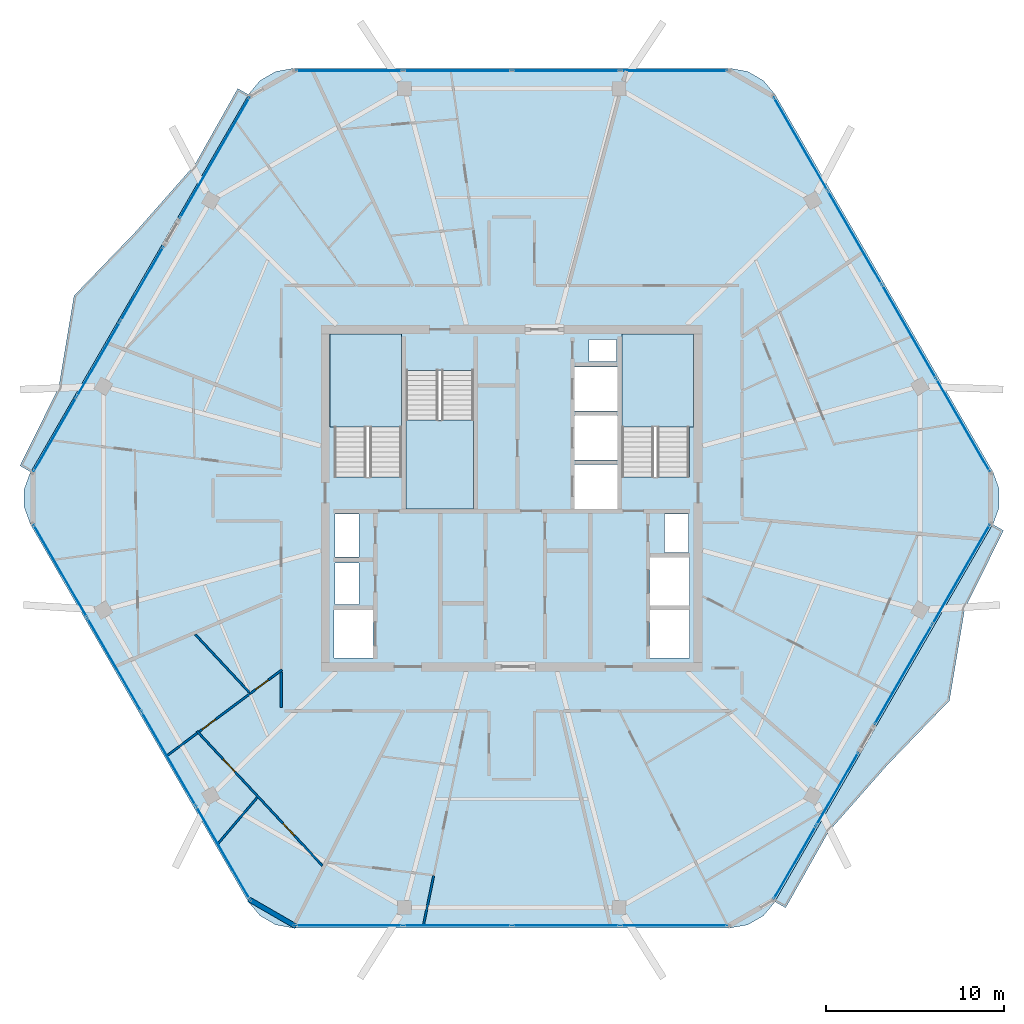
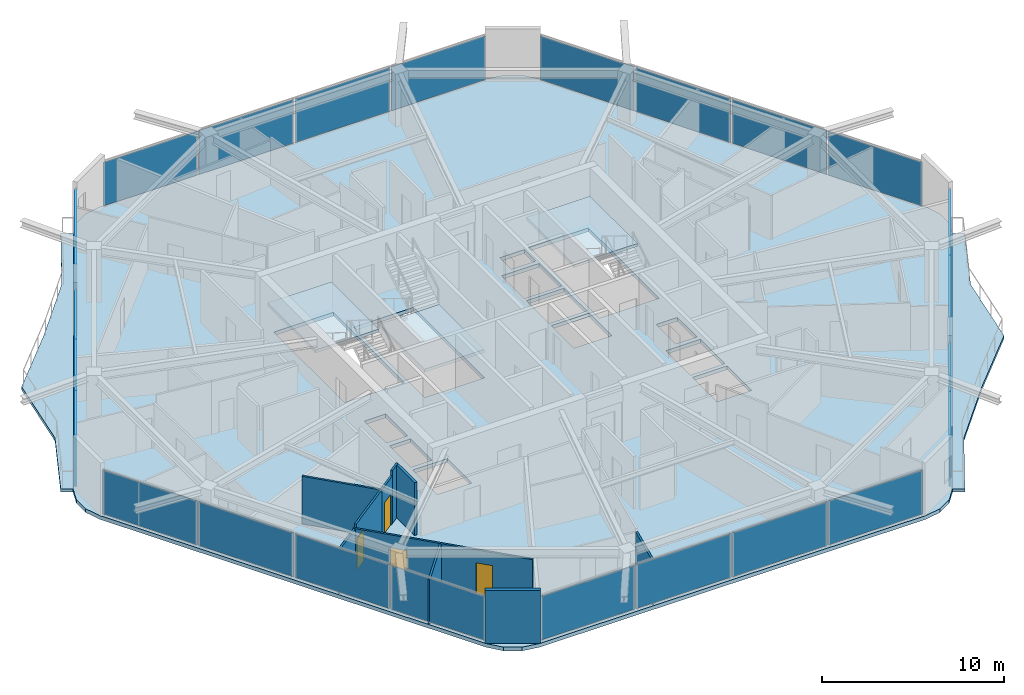
# One storey, part 11 of 19: 24 plates, 10 walls, 6 slabs, 4 doors, 4 openings, 11 elements without a shape of their own.
"""IFC4 building model written with IfcOpenShell, lengths in metres."""

import ifcopenshell
import ifcopenshell.guid

model = None  # the IFC model being written
_history = None  # IfcOwnerHistory: only IFC2X3 demands one
_inside = {}  # id of a spatial element -> (the spatial element, [elements in it])
_under = {}  # id of a project, library or spatial element -> (it, [spatial elements below it])
_declared = {}  # id of a project -> (the project, [libraries it declares])
_typed = {}  # id of a type object -> (the type object, [elements of that type])
_made_of = {}  # id of a material, layer set ... -> (it, [elements and type objects made of it])


def new_model(schema):
    """Start an empty IFC model of exactly this schema.

    Asked for "IFC4X3", IfcOpenShell would pick the latest addendum, in which some entities
    have other attributes; the version numbers below select the first issue.
    IFC2X3 requires an IfcOwnerHistory on every rooted entity: one is made here for all.
    """
    global model, _history
    if schema == "IFC4X3":
        model = ifcopenshell.file(schema_version=(4, 3, 0, 0))
    else:
        model = ifcopenshell.file(schema=schema)
    _inside.clear()
    _under.clear()
    _declared.clear()
    _typed.clear()
    _made_of.clear()
    _history = None
    if model.schema == "IFC2X3":
        org = make("IfcOrganization", Name="unknown")
        user = make(
            "IfcPersonAndOrganization",
            ThePerson=make("IfcPerson", FamilyName="unknown"),
            TheOrganization=org,
        )
        app = make(
            "IfcApplication",
            ApplicationDeveloper=org,
            Version="unknown",
            ApplicationFullName="unknown",
            ApplicationIdentifier="unknown",
        )
        _history = make(
            "IfcOwnerHistory",
            OwningUser=user,
            OwningApplication=app,
            ChangeAction="ADDED",
            CreationDate=0,
        )
    return model


def make(cls, **values):
    """One entity of the class cls with the attributes given. An attribute that is None is left unset."""
    return model.create_entity(
        cls, **{name: value for name, value in values.items() if value is not None}
    )


def rooted(cls, **values):
    """An entity with a GlobalId (a new one), such as an element, a storey or a relation."""
    return make(cls, GlobalId=ifcopenshell.guid.new(), OwnerHistory=_history, **values)


def si_unit(unit_type, name, prefix=None):
    """IfcSIUnit, for example si_unit("LENGTHUNIT", "METRE", prefix="MILLI")."""
    return make("IfcSIUnit", UnitType=unit_type, Prefix=prefix, Name=name)


def assignment(units):
    """IfcUnitAssignment: the units of a project."""
    return None if units is None else make("IfcUnitAssignment", Units=units)


def point(xyz):
    """IfcCartesianPoint."""
    return None if xyz is None else make("IfcCartesianPoint", Coordinates=xyz)


def direction(xyz):
    """IfcDirection."""
    return None if xyz is None else make("IfcDirection", DirectionRatios=xyz)


def frame(location, z_axis=None, x_axis=None):
    """IfcAxis2Placement3D, a coordinate frame: its origin and axes. An axis left out is left unset."""
    return make(
        "IfcAxis2Placement3D",
        Location=point(location),
        Axis=direction(z_axis),
        RefDirection=direction(x_axis),
    )


def frame_2d(location, x_axis=None):
    """IfcAxis2Placement2D, a coordinate frame in the plane: its origin and x axis."""
    return make(
        "IfcAxis2Placement2D", Location=point(location), RefDirection=direction(x_axis)
    )


def origin():
    """The frame at (0, 0, 0) with its axes left unset."""
    return frame((0.0, 0.0, 0.0))


def origin_2d():
    """The frame at (0, 0) in the plane with its x axis left unset."""
    return frame_2d((0.0, 0.0))


def place(relative_to, where):
    """IfcLocalPlacement: puts the frame where relative to a parent placement (None: the world)."""
    return make(
        "IfcLocalPlacement", PlacementRelTo=relative_to, RelativePlacement=where
    )


def context(
    kind, dimensions, precision=None, world=None, true_north=None, identifier=None
):
    """IfcGeometricRepresentationContext, for example the 3D "Model" context."""
    return make(
        "IfcGeometricRepresentationContext",
        ContextIdentifier=identifier,
        ContextType=kind,
        CoordinateSpaceDimension=dimensions,
        Precision=precision,
        WorldCoordinateSystem=world,
        TrueNorth=true_north,
    )


def subcontext(parent, identifier, kind, view, scale=None):
    """IfcGeometricRepresentationSubContext, for example "Body" below "Model"."""
    return make(
        "IfcGeometricRepresentationSubContext",
        ContextIdentifier=identifier,
        ContextType=kind,
        ParentContext=parent,
        TargetScale=scale,
        TargetView=view,
    )


def project(units=None, contexts=None):
    """IfcProject with its units and contexts."""
    return rooted(
        "IfcProject",
        Name="project",
        RepresentationContexts=contexts,
        UnitsInContext=assignment(units),
    )


def spatial(cls, under=None, at=None, **own):
    """A site, building, storey or space (cls), placed at a placement, below another one or the project."""
    s = rooted(cls, ObjectPlacement=at, **own)
    if under is not None:
        _under.setdefault(under.id(), (under, []))[1].append(s)
    return s


def polyline(points):
    """IfcPolyline through the points."""
    return make("IfcPolyline", Points=[point(p) for p in points])


def profile(cls, at=None, kind="AREA", **sizes):
    """A parametric profile (cls). Its sizes go by their IFC names, for example OverallWidth=200.0."""
    return make(cls, ProfileType=kind, Position=at, **sizes)


def rectangle(**sizes):
    """IfcRectangleProfileDef."""
    return profile("IfcRectangleProfileDef", **sizes)


def outline(outer, holes=None, kind="AREA"):
    """IfcArbitraryClosedProfileDef: a profile drawn as a closed curve; with holes, ...WithVoids."""
    if holes is None:
        return make("IfcArbitraryClosedProfileDef", ProfileType=kind, OuterCurve=outer)
    return make(
        "IfcArbitraryProfileDefWithVoids",
        ProfileType=kind,
        OuterCurve=outer,
        InnerCurves=holes,
    )


def extrude(swept, where, along, depth):
    """IfcExtrudedAreaSolid: the profile swept, set in the frame where, extruded along a direction by depth."""
    return make(
        "IfcExtrudedAreaSolid",
        SweptArea=swept,
        Position=where,
        ExtrudedDirection=direction(along),
        Depth=depth,
    )


def shape(context_of_items, identifier, shape_type, items):
    """IfcShapeRepresentation: the items that make up one representation, for example the "Body"."""
    return make(
        "IfcShapeRepresentation",
        ContextOfItems=context_of_items,
        RepresentationIdentifier=identifier,
        RepresentationType=shape_type,
        Items=items,
    )


def material(Name=None, Category=None):
    """IfcMaterial."""
    return make("IfcMaterial", Name=Name, Category=Category)


def layer(
    of_material, thickness, ventilated=None, Name=None, Category=None, Priority=None
):
    """IfcMaterialLayer: one layer of a wall or slab, of a material (None: an air gap)."""
    return make(
        "IfcMaterialLayer",
        Material=of_material,
        LayerThickness=thickness,
        IsVentilated=ventilated,
        Name=Name,
        Category=Category,
        Priority=Priority,
    )


def layer_set(layers, Name=None):
    """IfcMaterialLayerSet."""
    return make("IfcMaterialLayerSet", MaterialLayers=layers, LayerSetName=Name)


def made_of(thing, what):
    """Note that an element or type object is made of a material, layer set ...; save() writes the relation."""
    if what is not None:
        _made_of.setdefault(what.id(), (what, []))[1].append(thing)
    return thing


def type_object(cls, material=None, **own):
    """A type object (cls), such as IfcWallType, which elements share."""
    return made_of(rooted(cls, **own), material)


def element(
    cls,
    number,
    at=None,
    inside=None,
    cuts=None,
    type_object=None,
    material=None,
    context=None,
    identifier="Body",
    shape_type=None,
    held_by="IfcProductDefinitionShape",
    body=None,
    shapes=None,
    **own,
):
    """One element of the class cls, such as IfcWall. Its Tag is "e" and its number.

    at: its placement. inside: the storey or other place that contains it. cuts: it is an
    opening in that element (IfcRelVoidsElement). A single representation is given by context,
    identifier, shape_type and body (its items); several are given by shapes. held_by: the class
    of the entity that holds the representations. save() writes the other relations.
    """
    e = rooted(cls, Tag="e%d" % number, ObjectPlacement=at, **own)
    if body is not None:
        shapes = [shape(context, identifier, shape_type, body)]
    if shapes is not None:
        e.Representation = make(held_by, Representations=shapes)
    if inside is not None:
        _inside.setdefault(inside.id(), (inside, []))[1].append(e)
    if cuts is not None:
        rooted(
            "IfcRelVoidsElement", RelatingBuildingElement=cuts, RelatedOpeningElement=e
        )
    if type_object is not None:
        _typed.setdefault(type_object.id(), (type_object, []))[1].append(e)
    return made_of(e, material)


def fill(opening, filler):
    """IfcRelFillsElement: the door or window that sits in an opening."""
    return rooted(
        "IfcRelFillsElement",
        RelatingOpeningElement=opening,
        RelatedBuildingElement=filler,
    )


def aggregate(whole, parts):
    """IfcRelAggregates: a whole, such as a stair, and the parts it consists of."""
    return rooted("IfcRelAggregates", RelatingObject=whole, RelatedObjects=parts)


def save(model, path):
    """Write the relations noted so far, then the file.

    IfcRelAggregates (storeys below a building ...), IfcRelContainedInSpatialStructure (elements
    in a storey), IfcRelDefinesByType, IfcRelAssociatesMaterial and IfcRelDeclares: one each for
    every whole, place, type object, material and project.
    """
    for whole, parts in _under.values():
        aggregate(whole, parts)
    for where, things in _inside.values():
        rooted(
            "IfcRelContainedInSpatialStructure",
            RelatedElements=things,
            RelatingStructure=where,
        )
    for kind, things in _typed.values():
        rooted("IfcRelDefinesByType", RelatedObjects=things, RelatingType=kind)
    for what, things in _made_of.values():
        rooted("IfcRelAssociatesMaterial", RelatedObjects=things, RelatingMaterial=what)
    for by, libraries in _declared.values():
        rooted("IfcRelDeclares", RelatingContext=by, RelatedDefinitions=libraries)
    model.write(path)


model = new_model("IFC4")

# Units and contexts
model_context = context("Model", 3, precision=1e-05, world=origin(), true_north=direction((0.0, 1.0)))
body_context = subcontext(model_context, "Body", "Model", "MODEL_VIEW")
ifc_project = project(units=[si_unit("LENGTHUNIT", "METRE"), si_unit("AREAUNIT", "SQUARE_METRE"), si_unit("VOLUMEUNIT", "CUBIC_METRE"), si_unit("PLANEANGLEUNIT", "RADIAN"), si_unit("MASSUNIT", "GRAM", prefix="KILO")], contexts=[model_context])

# Site, building, storey
site_placement = place(None, origin())
site = spatial("IfcSite", under=ifc_project, at=site_placement, CompositionType="ELEMENT")
building_placement = place(site_placement, origin())
building = spatial("IfcBuilding", under=site, at=building_placement, Name="Zuhravey Tower", CompositionType="ELEMENT")
storey_placement = place(building_placement, frame((0.0, 0.0, 327.199951171875)))
storey = spatial("IfcBuildingStorey", under=building, at=storey_placement, Name="L83", CompositionType="ELEMENT", Elevation=327.199951171875)

# Slabs
ifc_material_1 = material(Name="Concrete C50/60", Category="concrete")
ifc_layer_1 = layer(ifc_material_1, 0.25)
ifc_layer_set_1 = layer_set([ifc_layer_1], Name="Concrete C50/60")
slab_type_1 = type_object("IfcSlabType", Name="Residential Acoustic Slab 250", PredefinedType="FLOOR", material=ifc_layer_set_1)
slab_1_placement = place(storey_placement, frame((0.0, 0.0, -0.25)))
element("IfcSlab", 1, at=slab_1_placement, inside=storey, type_object=slab_type_1, Name="L83 Floor Slab FS25", PredefinedType="FLOOR", context=body_context, shape_type="SweptSolid", body=[
    extrude(outline(polyline([(63.1083984375, 30.52490234375), (63.458740234375, 31.48779296875), (63.458740234375, 32.51220703125), (63.1083984375, 33.47509765625), (50.83154296875, 54.739013671875), (50.173095703125, 55.52392578125), (49.285888671875, 56.0361328125), (48.27685546875, 56.214111328125), (23.72314453125, 56.214111328125), (22.714111328125, 56.0361328125), (21.826904296875, 55.52392578125), (21.16845703125, 54.739013671875), (8.8916015625, 33.47509765625), (8.541259765625, 32.51220703125), (8.541259765625, 31.48779296875), (8.8916015625, 30.52490234375), (21.16845703125, 9.260986328125), (21.826904296875, 8.47607421875), (22.714111328125, 7.9638671875), (23.72314453125, 7.785888671875), (48.27685546875, 7.785888671875), (49.285888671875, 7.9638671875), (50.173095703125, 8.47607421875), (50.83154296875, 9.260986328125), (63.1083984375, 30.52490234375)]), holes=[polyline([(29.800048828125, 33.20068359375), (29.800048828125, 41.0), (26.0, 41.0), (26.0, 33.20068359375), (29.800048828125, 33.20068359375)]), polyline([(46.0, 33.20068359375), (46.0, 41.0), (42.199951171875, 41.0), (42.199951171875, 33.20068359375), (46.0, 33.20068359375)]), polyline([(30.050048828125, 39.199462890625), (30.050048828125, 31.39990234375), (33.85009765625, 31.39990234375), (33.85009765625, 39.199462890625), (30.050048828125, 39.199462890625)]), polyline([(39.550048828125, 31.39990234375), (41.949951171875, 31.39990234375), (41.949951171875, 33.89990234375), (39.550048828125, 33.89990234375), (39.550048828125, 31.39990234375)]), polyline([(39.550048828125, 34.14990234375), (41.949951171875, 34.14990234375), (41.949951171875, 36.64990234375), (39.550048828125, 36.64990234375), (39.550048828125, 34.14990234375)]), polyline([(39.550048828125, 36.89990234375), (41.949951171875, 36.89990234375), (41.949951171875, 39.39990234375), (39.550048828125, 39.39990234375), (39.550048828125, 36.89990234375)]), polyline([(26.0, 23.0), (28.199951171875, 23.0), (28.199951171875, 25.699951171875), (26.0, 25.699951171875), (26.0, 23.0)]), polyline([(43.800048828125, 23.0), (46.0, 23.0), (46.0, 25.699951171875), (43.800048828125, 25.699951171875), (43.800048828125, 23.0)]), polyline([(43.800048828125, 25.949951171875), (46.0, 25.949951171875), (46.0, 28.64990234375), (43.800048828125, 28.64990234375), (43.800048828125, 25.949951171875)]), polyline([(26.050048828125, 26.0), (27.39990234375, 26.0), (27.39990234375, 28.35009765625), (26.050048828125, 28.35009765625), (26.050048828125, 26.0)]), polyline([(26.050048828125, 28.699951171875), (27.39990234375, 28.699951171875), (27.39990234375, 31.10009765625), (26.050048828125, 31.10009765625), (26.050048828125, 28.699951171875)]), polyline([(44.60009765625, 28.949951171875), (45.949951171875, 28.949951171875), (45.949951171875, 31.10009765625), (44.60009765625, 31.10009765625), (44.60009765625, 28.949951171875)]), polyline([(40.35009765625, 39.699951171875), (41.89990234375, 39.699951171875), (41.89990234375, 40.949951171875), (40.35009765625, 40.949951171875), (40.35009765625, 39.699951171875)])]), origin(), (0.0, 0.0, 1.0), 0.25),
])
ifc_material_2 = material(Name="Concrete C40/50", Category="concrete")
ifc_layer_2 = layer(ifc_material_2, 0.219970703125)
ifc_layer_set_2 = layer_set([ifc_layer_2], Name="Concrete C40/50")
slab_type_2 = type_object("IfcSlabType", Name="Sinusoidal Residential Wave Balcony 220", PredefinedType="FLOOR", material=ifc_layer_set_2)
slab_2_placement = place(storey_placement, frame((0.0, 0.0, -0.219970703125)))
element("IfcSlab", 2, at=slab_2_placement, inside=storey, type_object=slab_type_2, Name="L83 Face 6 Wave Balcony WB22", PredefinedType="FLOOR", context=body_context, shape_type="SweptSolid", body=[
    extrude(outline(polyline([(50.822998046875, 9.27587890625), (63.091064453125, 30.52490234375), (63.697265625, 30.175048828125), (61.51708984375, 25.767333984375), (60.654541015625, 20.598876953125), (57.1455078125, 16.95849609375), (53.8369140625, 13.2021484375), (51.42919921875, 8.92578125), (50.822998046875, 9.27587890625)])), origin(), (0.0, 0.0, 1.0), 0.219970703125),
])
slab_3_placement = place(storey_placement, frame((0.0, 0.0, -0.219970703125)))
element("IfcSlab", 3, at=slab_3_placement, inside=storey, type_object=slab_type_2, Name="L83 Face 3 Wave Balcony WB22", PredefinedType="FLOOR", context=body_context, shape_type="SweptSolid", body=[
    extrude(outline(polyline([(21.177001953125, 54.72412109375), (8.908935546875, 33.47509765625), (8.302734375, 33.824951171875), (10.48291015625, 38.232666015625), (11.345458984375, 43.401123046875), (14.8544921875, 47.04150390625), (18.1630859375, 50.7978515625), (20.57080078125, 55.07421875), (21.177001953125, 54.72412109375)])), origin(), (0.0, 0.0, 1.0), 0.219970703125),
])

# Stair, slab
stair_type = type_object("IfcStairType", Name="Housing Storey Stair Assembly 3800", PredefinedType="HALF_TURN_STAIR", material=ifc_material_2)
stair_1_placement = place(storey_placement, origin())
stair_1 = element("IfcStair", 4, at=stair_1_placement, inside=storey, type_object=stair_type, Name="L83 Core Exit Stair ST1", PredefinedType="HALF_TURN_STAIR")
ifc_layer_3 = layer(ifc_material_2, 0.199951171875)
ifc_layer_set_3 = layer_set([ifc_layer_3], Name="Concrete C40/50")
slab_type_3 = type_object("IfcSlabType", Name="Stair Landing Slab 200", PredefinedType="LANDING", material=ifc_layer_set_3)
slab_4_placement = place(storey_placement, frame((0.0, 0.0, 1.699951171875)))
slab_4 = element("IfcSlab", 5, at=slab_4_placement, type_object=slab_type_3, Name="ST1 landing 1", PredefinedType="LANDING", context=body_context, shape_type="SweptSolid", body=[
    extrude(outline(polyline([(29.800048828125, 36.0), (29.800048828125, 41.248046875), (25.751953125, 41.248046875), (25.751953125, 36.0), (29.800048828125, 36.0)])), origin(), (0.0, 0.0, 1.0), 0.2001953125),
])
aggregate(stair_1, [slab_4])

stair_2_placement = place(storey_placement, origin())
stair_2 = element("IfcStair", 6, at=stair_2_placement, inside=storey, type_object=stair_type, Name="L83 Core Exit Stair ST2", PredefinedType="HALF_TURN_STAIR")
slab_5_placement = place(storey_placement, frame((0.0, 0.0, 1.699951171875)))
slab_5 = element("IfcSlab", 7, at=slab_5_placement, type_object=slab_type_3, Name="ST2 landing 1", PredefinedType="LANDING", context=body_context, shape_type="SweptSolid", body=[
    extrude(outline(polyline([(46.248046875, 36.0), (46.248046875, 41.248046875), (42.199951171875, 41.248046875), (42.199951171875, 36.0), (46.248046875, 36.0)])), origin(), (0.0, 0.0, 1.0), 0.2001953125),
])
aggregate(stair_2, [slab_5])

stair_3_placement = place(storey_placement, origin())
stair_3 = element("IfcStair", 8, at=stair_3_placement, inside=storey, type_object=stair_type, Name="L83 Core Exit Stair ST3", PredefinedType="HALF_TURN_STAIR")
slab_6_placement = place(storey_placement, frame((0.0, 0.0, 1.699951171875)))
slab_6 = element("IfcSlab", 9, at=slab_6_placement, type_object=slab_type_3, Name="ST3 landing 1", PredefinedType="LANDING", context=body_context, shape_type="SweptSolid", body=[
    extrude(outline(polyline([(30.050048828125, 36.39990234375), (30.050048828125, 31.39990234375), (33.85009765625, 31.39990234375), (33.85009765625, 36.39990234375), (30.050048828125, 36.39990234375)])), origin(), (0.0, 0.0, 1.0), 0.2001953125),
])
aggregate(stair_3, [slab_6])

# Curtain wall, plates
ifc_material_3 = material(Name="Thermally broken anodised aluminium", Category="aluminium")
curtain_wall_type = type_object("IfcCurtainWallType", Name="Zone 3-4 High-Rise Curtain Wall CW4", PredefinedType="NOTDEFINED", material=ifc_material_3)
curtain_wall_1_placement = place(storey_placement, origin())
curtain_wall_1 = element("IfcCurtainWall", 10, at=curtain_wall_1_placement, inside=storey, type_object=curtain_wall_type, Name="L83 CW4 CW-L83-F6-1", PredefinedType="NOTDEFINED")
ifc_material_4 = material(Name="Triple low-E insulated vision glass", Category="glass")
ifc_layer_4 = layer(ifc_material_4, 0.0419921875)
ifc_layer_set_4 = layer_set([ifc_layer_4], Name="Triple low-E insulated vision glass")
plate_type = type_object("IfcPlateType", Name="Triple Low-E Vision Panel", PredefinedType="CURTAIN_PANEL", material=ifc_layer_set_4)
plate_1_placement = place(storey_placement, frame((61.3173828125, 27.702880859375, 0.090087890625), z_axis=(0.0, 0.0, 1.0), x_axis=(-0.499996752827, -0.866027278532, 0.0)))
plate_1 = element("IfcPlate", 11, at=plate_1_placement, type_object=plate_type, Name="CW4 panel 1.1", PredefinedType="CURTAIN_PANEL", context=body_context, shape_type="SweptSolid", body=[
    extrude(rectangle(XDim=6.423828125, YDim=0.0419921875, at=origin_2d()), origin(), (0.0, 0.0, 1.0), 2.94189453125),
])
plate_2_placement = place(storey_placement, frame((58.060546875, 22.06201171875, 0.090087890625), z_axis=(0.0, 0.0, 1.0), x_axis=(-0.499996752827, -0.866027278532, 0.0)))
plate_2 = element("IfcPlate", 12, at=plate_2_placement, type_object=plate_type, Name="CW4 panel 2.1", PredefinedType="CURTAIN_PANEL", context=body_context, shape_type="SweptSolid", body=[
    extrude(rectangle(XDim=6.423828125, YDim=0.0419921875, at=origin_2d()), origin(), (0.0, 0.0, 1.0), 2.94189453125),
])
aggregate(curtain_wall_1, [plate_1, plate_2])

curtain_wall_2_placement = place(storey_placement, origin())
curtain_wall_2 = element("IfcCurtainWall", 13, at=curtain_wall_2_placement, inside=storey, type_object=curtain_wall_type, Name="L83 CW4 CW-L83-F6-2", PredefinedType="NOTDEFINED")
plate_3_placement = place(storey_placement, frame((54.3408203125, 15.618896484375, 0.090087890625), z_axis=(0.0, 0.0, 1.0), x_axis=(-0.500002000362, -0.866024248872, 0.0)))
plate_3 = element("IfcPlate", 14, at=plate_3_placement, type_object=plate_type, Name="CW4 panel 1.1", PredefinedType="CURTAIN_PANEL", context=body_context, shape_type="SweptSolid", body=[
    extrude(rectangle(XDim=4.695556640625, YDim=0.0419921875, at=origin_2d()), origin(), (0.0, 0.0, 1.0), 2.94189453125),
])
plate_4_placement = place(storey_placement, frame((51.947998046875, 11.474609375, 0.090087890625), z_axis=(0.0, 0.0, 1.0), x_axis=(-0.500002000362, -0.866024248872, 0.0)))
plate_4 = element("IfcPlate", 15, at=plate_4_placement, type_object=plate_type, Name="CW4 panel 2.1", PredefinedType="CURTAIN_PANEL", context=body_context, shape_type="SweptSolid", body=[
    extrude(rectangle(XDim=4.695556640625, YDim=0.0419921875, at=origin_2d()), origin(), (0.0, 0.0, 1.0), 2.94189453125),
])
aggregate(curtain_wall_2, [plate_3, plate_4])

curtain_wall_3_placement = place(storey_placement, origin())
curtain_wall_3 = element("IfcCurtainWall", 16, at=curtain_wall_3_placement, inside=storey, type_object=curtain_wall_type, Name="L83 CW4 CW-L83-F5-1", PredefinedType="NOTDEFINED")
plate_5_placement = place(storey_placement, frame((45.156982421875, 7.92578125, 0.090087890625), z_axis=(0.0, 0.0, 1.0), x_axis=(-1.0, 0.0, 0.0)))
plate_5 = element("IfcPlate", 17, at=plate_5_placement, type_object=plate_type, Name="CW4 panel 1.1", PredefinedType="CURTAIN_PANEL", context=body_context, shape_type="SweptSolid", body=[
    extrude(rectangle(XDim=5.984619140625, YDim=0.0419921875, at=origin_2d()), origin(), (0.0, 0.0, 1.0), 2.94189453125),
])
plate_6_placement = place(storey_placement, frame((39.059814453125, 7.92578125, 0.090087890625), z_axis=(0.0, 0.0, 1.0), x_axis=(-1.0, 0.0, 0.0)))
plate_6 = element("IfcPlate", 18, at=plate_6_placement, type_object=plate_type, Name="CW4 panel 2.1", PredefinedType="CURTAIN_PANEL", context=body_context, shape_type="SweptSolid", body=[
    extrude(rectangle(XDim=6.029541015625, YDim=0.0419921875, at=origin_2d()), origin(), (0.0, 0.0, 1.0), 2.94189453125),
])
plate_7_placement = place(storey_placement, frame((32.940185546875, 7.92578125, 0.090087890625), z_axis=(0.0, 0.0, 1.0), x_axis=(-1.0, 0.0, 0.0)))
plate_7 = element("IfcPlate", 19, at=plate_7_placement, type_object=plate_type, Name="CW4 panel 3.1", PredefinedType="CURTAIN_PANEL", context=body_context, shape_type="SweptSolid", body=[
    extrude(rectangle(XDim=6.029541015625, YDim=0.0419921875, at=origin_2d()), origin(), (0.0, 0.0, 1.0), 2.94189453125),
])
plate_8_placement = place(storey_placement, frame((26.843017578125, 7.92578125, 0.090087890625), z_axis=(0.0, 0.0, 1.0), x_axis=(-1.0, 0.0, 0.0)))
plate_8 = element("IfcPlate", 20, at=plate_8_placement, type_object=plate_type, Name="CW4 panel 4.1", PredefinedType="CURTAIN_PANEL", context=body_context, shape_type="SweptSolid", body=[
    extrude(rectangle(XDim=5.984619140625, YDim=0.0419921875, at=origin_2d()), origin(), (0.0, 0.0, 1.0), 2.94189453125),
])
aggregate(curtain_wall_3, [plate_5, plate_6, plate_7, plate_8])

curtain_wall_4_placement = place(storey_placement, origin())
curtain_wall_4 = element("IfcCurtainWall", 21, at=curtain_wall_4_placement, inside=storey, type_object=curtain_wall_type, Name="L83 CW4 CW-L83-F4-1", PredefinedType="NOTDEFINED")
plate_9_placement = place(storey_placement, frame((19.729736328125, 12.03271484375, 0.090087890625), z_axis=(0.0, 0.0, 1.0), x_axis=(-0.49999981336, 0.866025511541, 0.0)))
plate_9 = element("IfcPlate", 22, at=plate_9_placement, type_object=plate_type, Name="CW4 panel 1.1", PredefinedType="CURTAIN_PANEL", context=body_context, shape_type="SweptSolid", body=[
    extrude(rectangle(XDim=5.984619140625, YDim=0.0419921875, at=origin_2d()), origin(), (0.0, 0.0, 1.0), 2.94189453125),
])
plate_10_placement = place(storey_placement, frame((16.68115234375, 17.31298828125, 0.090087890625), z_axis=(0.0, 0.0, 1.0), x_axis=(-0.49999981336, 0.866025511541, 0.0)))
plate_10 = element("IfcPlate", 23, at=plate_10_placement, type_object=plate_type, Name="CW4 panel 2.1", PredefinedType="CURTAIN_PANEL", context=body_context, shape_type="SweptSolid", body=[
    extrude(rectangle(XDim=6.029541015625, YDim=0.0419921875, at=origin_2d()), origin(), (0.0, 0.0, 1.0), 2.94189453125),
])
plate_11_placement = place(storey_placement, frame((13.621337890625, 22.61279296875, 0.090087890625), z_axis=(0.0, 0.0, 1.0), x_axis=(-0.49999981336, 0.866025511541, 0.0)))
plate_11 = element("IfcPlate", 24, at=plate_11_placement, type_object=plate_type, Name="CW4 panel 3.1", PredefinedType="CURTAIN_PANEL", context=body_context, shape_type="SweptSolid", body=[
    extrude(rectangle(XDim=6.029541015625, YDim=0.0419921875, at=origin_2d()), origin(), (0.0, 0.0, 1.0), 2.94189453125),
])
plate_12_placement = place(storey_placement, frame((10.57275390625, 27.89306640625, 0.090087890625), z_axis=(0.0, 0.0, 1.0), x_axis=(-0.49999981336, 0.866025511541, 0.0)))
plate_12 = element("IfcPlate", 25, at=plate_12_placement, type_object=plate_type, Name="CW4 panel 4.1", PredefinedType="CURTAIN_PANEL", context=body_context, shape_type="SweptSolid", body=[
    extrude(rectangle(XDim=5.984619140625, YDim=0.0419921875, at=origin_2d()), origin(), (0.0, 0.0, 1.0), 2.94189453125),
])
aggregate(curtain_wall_4, [plate_9, plate_10, plate_11, plate_12])

curtain_wall_5_placement = place(storey_placement, origin())
curtain_wall_5 = element("IfcCurtainWall", 26, at=curtain_wall_5_placement, inside=storey, type_object=curtain_wall_type, Name="L83 CW4 CW-L83-F3-1", PredefinedType="NOTDEFINED")
plate_13_placement = place(storey_placement, frame((10.273681640625, 35.589111328125, 0.090087890625), z_axis=(0.0, 0.0, 1.0), x_axis=(0.499997292826, 0.866026966766, 0.0)))
plate_13 = element("IfcPlate", 27, at=plate_13_placement, type_object=plate_type, Name="CW4 panel 1.1", PredefinedType="CURTAIN_PANEL", context=body_context, shape_type="SweptSolid", body=[
    extrude(rectangle(XDim=4.788818359375, YDim=0.0419921875, at=origin_2d()), origin(), (0.0, 0.0, 1.0), 2.94189453125),
])
plate_14_placement = place(storey_placement, frame((12.724365234375, 39.833740234375, 0.090087890625), z_axis=(0.0, 0.0, 1.0), x_axis=(0.499997292826, 0.866026966766, 0.0)))
plate_14 = element("IfcPlate", 28, at=plate_14_placement, type_object=plate_type, Name="CW4 panel 2.1", PredefinedType="CURTAIN_PANEL", context=body_context, shape_type="SweptSolid", body=[
    extrude(rectangle(XDim=4.833740234375, YDim=0.0419921875, at=origin_2d()), origin(), (0.0, 0.0, 1.0), 2.94189453125),
])
plate_15_placement = place(storey_placement, frame((15.175048828125, 44.078369140625, 0.090087890625), z_axis=(0.0, 0.0, 1.0), x_axis=(0.499997292826, 0.866026966766, 0.0)))
plate_15 = element("IfcPlate", 29, at=plate_15_placement, type_object=plate_type, Name="CW4 panel 3.1", PredefinedType="CURTAIN_PANEL", context=body_context, shape_type="SweptSolid", body=[
    extrude(rectangle(XDim=4.788818359375, YDim=0.0419921875, at=origin_2d()), origin(), (0.0, 0.0, 1.0), 2.94189453125),
])
aggregate(curtain_wall_5, [plate_13, plate_14, plate_15])

# Curtain wall, plate
curtain_wall_6_placement = place(storey_placement, origin())
curtain_wall_6 = element("IfcCurtainWall", 30, at=curtain_wall_6_placement, inside=storey, type_object=curtain_wall_type, Name="L83 CW4 CW-L83-F3-2", PredefinedType="NOTDEFINED")
plate_16_placement = place(storey_placement, frame((19.26904296875, 51.16943359375, 0.090087890625), z_axis=(0.0, 0.0, 1.0), x_axis=(0.500002088135, 0.866024198196, 0.0)))
plate_16 = element("IfcPlate", 31, at=plate_16_placement, type_object=plate_type, Name="CW4 panel 1.1", PredefinedType="CURTAIN_PANEL", context=body_context, shape_type="SweptSolid", body=[
    extrude(rectangle(XDim=7.8271484375, YDim=0.0419921875, at=origin_2d()), origin(), (0.0, 0.0, 1.0), 2.94189453125),
])
aggregate(curtain_wall_6, [plate_16])

# Curtain wall, plates
curtain_wall_7_placement = place(storey_placement, origin())
curtain_wall_7 = element("IfcCurtainWall", 32, at=curtain_wall_7_placement, inside=storey, type_object=curtain_wall_type, Name="L83 CW4 CW-L83-F2-1", PredefinedType="NOTDEFINED")
plate_17_placement = place(storey_placement, frame((26.843017578125, 56.07421875, 0.090087890625), z_axis=(0.0, 0.0, 1.0), x_axis=(1.0, 0.0, 0.0)))
plate_17 = element("IfcPlate", 33, at=plate_17_placement, type_object=plate_type, Name="CW4 panel 1.1", PredefinedType="CURTAIN_PANEL", context=body_context, shape_type="SweptSolid", body=[
    extrude(rectangle(XDim=5.984619140625, YDim=0.0419921875, at=origin_2d()), origin(), (0.0, 0.0, 1.0), 2.94189453125),
])
plate_18_placement = place(storey_placement, frame((32.940185546875, 56.07421875, 0.090087890625), z_axis=(0.0, 0.0, 1.0), x_axis=(1.0, 0.0, 0.0)))
plate_18 = element("IfcPlate", 34, at=plate_18_placement, type_object=plate_type, Name="CW4 panel 2.1", PredefinedType="CURTAIN_PANEL", context=body_context, shape_type="SweptSolid", body=[
    extrude(rectangle(XDim=6.029541015625, YDim=0.0419921875, at=origin_2d()), origin(), (0.0, 0.0, 1.0), 2.94189453125),
])
plate_19_placement = place(storey_placement, frame((39.059814453125, 56.07421875, 0.090087890625), z_axis=(0.0, 0.0, 1.0), x_axis=(1.0, 0.0, 0.0)))
plate_19 = element("IfcPlate", 35, at=plate_19_placement, type_object=plate_type, Name="CW4 panel 3.1", PredefinedType="CURTAIN_PANEL", context=body_context, shape_type="SweptSolid", body=[
    extrude(rectangle(XDim=6.029541015625, YDim=0.0419921875, at=origin_2d()), origin(), (0.0, 0.0, 1.0), 2.94189453125),
])
plate_20_placement = place(storey_placement, frame((45.156982421875, 56.07421875, 0.090087890625), z_axis=(0.0, 0.0, 1.0), x_axis=(1.0, 0.0, 0.0)))
plate_20 = element("IfcPlate", 36, at=plate_20_placement, type_object=plate_type, Name="CW4 panel 4.1", PredefinedType="CURTAIN_PANEL", context=body_context, shape_type="SweptSolid", body=[
    extrude(rectangle(XDim=5.984619140625, YDim=0.0419921875, at=origin_2d()), origin(), (0.0, 0.0, 1.0), 2.94189453125),
])
aggregate(curtain_wall_7, [plate_17, plate_18, plate_19, plate_20])

curtain_wall_8_placement = place(storey_placement, origin())
curtain_wall_8 = element("IfcCurtainWall", 37, at=curtain_wall_8_placement, inside=storey, type_object=curtain_wall_type, Name="L83 CW4 CW-L83-F1-1", PredefinedType="NOTDEFINED")
plate_21_placement = place(storey_placement, frame((52.270263671875, 51.96728515625, 0.090087890625), z_axis=(0.0, 0.0, 1.0), x_axis=(0.49999981336, -0.866025511541, 0.0)))
plate_21 = element("IfcPlate", 38, at=plate_21_placement, type_object=plate_type, Name="CW4 panel 1.1", PredefinedType="CURTAIN_PANEL", context=body_context, shape_type="SweptSolid", body=[
    extrude(rectangle(XDim=5.984619140625, YDim=0.0419921875, at=origin_2d()), origin(), (0.0, 0.0, 1.0), 2.94189453125),
])
plate_22_placement = place(storey_placement, frame((55.31884765625, 46.68701171875, 0.090087890625), z_axis=(0.0, 0.0, 1.0), x_axis=(0.49999981336, -0.866025511541, 0.0)))
plate_22 = element("IfcPlate", 39, at=plate_22_placement, type_object=plate_type, Name="CW4 panel 2.1", PredefinedType="CURTAIN_PANEL", context=body_context, shape_type="SweptSolid", body=[
    extrude(rectangle(XDim=6.029541015625, YDim=0.0419921875, at=origin_2d()), origin(), (0.0, 0.0, 1.0), 2.94189453125),
])
plate_23_placement = place(storey_placement, frame((58.378662109375, 41.38720703125, 0.090087890625), z_axis=(0.0, 0.0, 1.0), x_axis=(0.49999981336, -0.866025511541, 0.0)))
plate_23 = element("IfcPlate", 40, at=plate_23_placement, type_object=plate_type, Name="CW4 panel 3.1", PredefinedType="CURTAIN_PANEL", context=body_context, shape_type="SweptSolid", body=[
    extrude(rectangle(XDim=6.029541015625, YDim=0.0419921875, at=origin_2d()), origin(), (0.0, 0.0, 1.0), 2.94189453125),
])
plate_24_placement = place(storey_placement, frame((61.42724609375, 36.10693359375, 0.090087890625), z_axis=(0.0, 0.0, 1.0), x_axis=(0.49999981336, -0.866025511541, 0.0)))
plate_24 = element("IfcPlate", 41, at=plate_24_placement, type_object=plate_type, Name="CW4 panel 4.1", PredefinedType="CURTAIN_PANEL", context=body_context, shape_type="SweptSolid", body=[
    extrude(rectangle(XDim=5.984619140625, YDim=0.0419921875, at=origin_2d()), origin(), (0.0, 0.0, 1.0), 2.94189453125),
])
aggregate(curtain_wall_8, [plate_21, plate_22, plate_23, plate_24])

# Walls
ifc_material_5 = material(Name="Gypsum fire-rated stud partition")
ifc_layer_5 = layer(ifc_material_5, 0.159912109375)
ifc_layer_set_5 = layer_set([ifc_layer_5], Name="Gypsum fire-rated stud partition")
wall_type_1 = type_object("IfcWallType", Name="Corridor Fire Partition 160", PredefinedType="PARTITIONING", material=ifc_layer_set_5)
wall_1_placement = place(storey_placement, frame((23.02001953125, 22.218994140625, 0.0), z_axis=(0.0, 0.0, 1.0), x_axis=(0.0, -1.0, 0.0)))
element("IfcWall", 42, at=wall_1_placement, inside=storey, type_object=wall_type_1, Name="L83 IW16 Partition 099", PredefinedType="PARTITIONING", context=body_context, shape_type="SweptSolid", body=[
    extrude(rectangle(XDim=2.01904296875, YDim=0.159912109375, at=frame_2d((1.009521484375, 0.0))), origin(), (0.0, 0.0, 1.0), 3.550048828125),
])
ifc_material_6 = material(Name="Precast concrete C40/50", Category="concrete")
ifc_layer_6 = layer(ifc_material_6, 0.280029296875)
ifc_layer_set_6 = layer_set([ifc_layer_6], Name="Precast concrete C40/50")
wall_type_2 = type_object("IfcWallType", Name="Crown Architectural Wall 280", PredefinedType="SOLIDWALL", material=ifc_layer_set_6)
wall_2_placement = place(storey_placement, frame((23.843017578125, 7.87841796875, 0.0), z_axis=(0.0, 0.0, 1.0), x_axis=(-0.866023752521, 0.50000286006, 0.0)))
element("IfcWall", 43, at=wall_2_placement, inside=storey, type_object=wall_type_2, Name="L83 Rounded Corner Closure Wall EW28-04", PredefinedType="SOLIDWALL", context=body_context, shape_type="SweptSolid", body=[
    extrude(rectangle(XDim=3.06494140625, YDim=0.280029296875, at=frame_2d((1.532470703125, 0.0))), origin(), (0.0, 0.0, 1.0), 3.550048828125),
])

# Wall, openings, doors
ifc_material_7 = material(Name="Gypsum metal-stud partition")
ifc_layer_7 = layer(ifc_material_7, 0.1201171875)
ifc_layer_set_7 = layer_set([ifc_layer_7], Name="Gypsum metal-stud partition")
wall_type_3 = type_object("IfcWallType", Name="Unit Internal Partition 120", PredefinedType="PARTITIONING", material=ifc_layer_set_7)
wall_3_placement = place(storey_placement, frame((18.26904296875, 18.879638671875, 0.0), z_axis=(0.0, 0.0, 1.0), x_axis=(0.682011831642, -0.731341138936, 0.0)))
wall_3 = element("IfcWall", 44, at=wall_3_placement, inside=storey, type_object=wall_type_3, Name="L83 IW12 Partition 031", PredefinedType="PARTITIONING", context=body_context, shape_type="SweptSolid", body=[
    extrude(rectangle(XDim=10.363525390625, YDim=0.1201171875, at=frame_2d((5.181640625, 0.0))), origin(), (0.0, 0.0, 1.0), 2.969970703125),
])
opening_1_placement = place(wall_3_placement, frame((2.16796875, 0.0, 0.0)))
opening_1 = element("IfcOpeningElement", 45, at=opening_1_placement, cuts=wall_3, Name="Opening IND1", PredefinedType="OPENING", context=body_context, shape_type="SweptSolid", body=[
    extrude(rectangle(XDim=0.949951171875, YDim=2.10009765625, at=frame_2d((0.47509765625, 1.050048828125))), frame((0.0, 0.072021484375, 0.0), z_axis=(0.0, -1.0, 0.0), x_axis=(1.0, 0.0, 0.0)), (0.0, 0.0, 1.0), 0.14404296875),
])
opening_2_placement = place(wall_3_placement, frame((7.10888671875, 0.0, 0.0)))
opening_2 = element("IfcOpeningElement", 46, at=opening_2_placement, cuts=wall_3, Name="Opening IND1", PredefinedType="OPENING", context=body_context, shape_type="SweptSolid", body=[
    extrude(rectangle(XDim=0.949951171875, YDim=2.10009765625, at=frame_2d((0.47509765625, 1.050048828125))), frame((0.0, 0.072021484375, 0.0), z_axis=(0.0, -1.0, 0.0), x_axis=(1.0, 0.0, 0.0)), (0.0, 0.0, 1.0), 0.14404296875),
])
ifc_material_8 = material(Name="Painted engineered timber leaf", Category="wood")
door_type_1 = type_object("IfcDoorType", Name="Internal Room & Bedroom Door 950x2100", OperationType="NOTDEFINED", PredefinedType="DOOR", material=ifc_material_8)
door_1_placement = place(opening_1_placement, frame((0.949951171875, 0.0, 0.0), z_axis=(0.0, 0.0, 1.0), x_axis=(-1.0, 0.0, 0.0)))
door_1 = element("IfcDoor", 47, at=door_1_placement, inside=storey, type_object=door_type_1, Name="Apartment L83-03 Family Study Door", OperationType="SINGLE_SWING_RIGHT", OverallHeight=2.10009765625, OverallWidth=0.949951171875, PredefinedType="DOOR", context=body_context, shape_type="SweptSolid", body=[
    extrude(rectangle(XDim=0.949951171875, YDim=2.10009765625, at=frame_2d((0.47509765625, 1.050048828125))), frame((0.0, 0.02490234375, 0.0), z_axis=(0.0, -1.0, 0.0), x_axis=(1.0, 0.0, 0.0)), (0.0, 0.0, 1.0), 0.050048828125),
])
fill(opening_1, door_1)
door_2_placement = place(opening_2_placement, frame((0.949951171875, 0.0, 0.0), z_axis=(0.0, 0.0, 1.0), x_axis=(-1.0, 0.0, 0.0)))
door_2 = element("IfcDoor", 48, at=door_2_placement, inside=storey, type_object=door_type_1, Name="Apartment L83-03 Dining Room Door", OperationType="SINGLE_SWING_LEFT", OverallHeight=2.10009765625, OverallWidth=0.949951171875, PredefinedType="DOOR", context=body_context, shape_type="SweptSolid", body=[
    extrude(rectangle(XDim=0.949951171875, YDim=2.10009765625, at=frame_2d((0.47509765625, 1.050048828125))), frame((0.0, 0.02490234375, 0.0), z_axis=(0.0, -1.0, 0.0), x_axis=(1.0, 0.0, 0.0)), (0.0, 0.0, 1.0), 0.050048828125),
])
fill(opening_2, door_2)

# Wall, opening, door
wall_4_placement = place(storey_placement, frame((22.449951171875, 21.878173828125, 0.0), z_axis=(0.0, 0.0, 1.0), x_axis=(-0.801099101306, -0.598531728388, 0.0)))
wall_4 = element("IfcWall", 49, at=wall_4_placement, inside=storey, type_object=wall_type_3, Name="L83 IW12 Partition 032", PredefinedType="PARTITIONING", context=body_context, shape_type="SweptSolid", body=[
    extrude(rectangle(XDim=1.490966796875, YDim=0.1201171875, at=frame_2d((0.74560546875, 0.0))), origin(), (0.0, 0.0, 1.0), 3.199951171875),
])
opening_3_placement = place(wall_4_placement, frame((0.199951171875, 0.0, 0.0)))
opening_3 = element("IfcOpeningElement", 50, at=opening_3_placement, cuts=wall_4, Name="Opening WCD1", PredefinedType="OPENING", context=body_context, shape_type="SweptSolid", body=[
    extrude(rectangle(XDim=0.89990234375, YDim=2.10009765625, at=frame_2d((0.449951171875, 1.050048828125))), frame((0.0, 0.072021484375, 0.0), z_axis=(0.0, -1.0, 0.0), x_axis=(1.0, 0.0, 0.0)), (0.0, 0.0, 1.0), 0.14404296875),
])
ifc_material_9 = material(Name="Moisture-resistant timber leaf", Category="wood")
door_type_2 = type_object("IfcDoorType", Name="Bathroom & WC Internal Door 900x2100", OperationType="NOTDEFINED", PredefinedType="DOOR", material=ifc_material_9)
door_3_placement = place(opening_3_placement, frame((0.89990234375, 0.0, 0.0), z_axis=(0.0, 0.0, 1.0), x_axis=(-1.0, 0.0, 0.0)))
door_3 = element("IfcDoor", 51, at=door_3_placement, inside=storey, type_object=door_type_2, Name="Apartment L83-03 Bathroom Door", OperationType="SINGLE_SWING_RIGHT", OverallHeight=2.10009765625, OverallWidth=0.89990234375, PredefinedType="DOOR", context=body_context, shape_type="SweptSolid", body=[
    extrude(rectangle(XDim=0.89990234375, YDim=2.10009765625, at=frame_2d((0.449951171875, 1.050048828125))), frame((0.0, 0.02490234375, 0.0), z_axis=(0.0, -1.0, 0.0), x_axis=(1.0, 0.0, 0.0)), (0.0, 0.0, 1.0), 0.050048828125),
])
fill(opening_3, door_3)

wall_5_placement = place(storey_placement, frame((21.255615234375, 20.98583984375, 0.0), z_axis=(0.0, 0.0, 1.0), x_axis=(-0.801154440429, -0.598457653122, 0.0)))
wall_5 = element("IfcWall", 52, at=wall_5_placement, inside=storey, type_object=wall_type_3, Name="L83 IW12 Partition 033", PredefinedType="PARTITIONING", context=body_context, shape_type="SweptSolid", body=[
    extrude(rectangle(XDim=3.57373046875, YDim=0.1201171875, at=frame_2d((1.786865234375, 0.0))), origin(), (0.0, 0.0, 1.0), 3.199951171875),
])
opening_4_placement = place(wall_5_placement, frame((2.421630859375, 0.0, 0.0)))
opening_4 = element("IfcOpeningElement", 53, at=opening_4_placement, cuts=wall_5, Name="Opening IND1", PredefinedType="OPENING", context=body_context, shape_type="SweptSolid", body=[
    extrude(rectangle(XDim=0.949951171875, YDim=2.10009765625, at=frame_2d((0.47509765625, 1.050048828125))), frame((0.0, 0.072021484375, 0.0), z_axis=(0.0, -1.0, 0.0), x_axis=(1.0, 0.0, 0.0)), (0.0, 0.0, 1.0), 0.14404296875),
])
door_4_placement = place(opening_4_placement, frame((0.949951171875, 0.0, 0.0), z_axis=(0.0, 0.0, 1.0), x_axis=(-1.0, 0.0, 0.0)))
door_4 = element("IfcDoor", 54, at=door_4_placement, inside=storey, type_object=door_type_1, Name="Apartment L83-03 Bedroom 1 Door", OperationType="SINGLE_SWING_LEFT", OverallHeight=2.10009765625, OverallWidth=0.949951171875, PredefinedType="DOOR", context=body_context, shape_type="SweptSolid", body=[
    extrude(rectangle(XDim=0.949951171875, YDim=2.10009765625, at=frame_2d((0.47509765625, 1.050048828125))), frame((0.0, 0.02490234375, 0.0), z_axis=(0.0, -1.0, 0.0), x_axis=(1.0, 0.0, 0.0)), (0.0, 0.0, 1.0), 0.050048828125),
])
fill(opening_4, door_4)

# Walls
wall_6_placement = place(storey_placement, frame((18.282958984375, 18.76513671875, 0.0), z_axis=(0.0, 0.0, 1.0), x_axis=(-0.80116606549, -0.598442090353, 0.0)))
element("IfcWall", 55, at=wall_6_placement, inside=storey, type_object=wall_type_3, Name="L83 IW12 Partition 034", PredefinedType="PARTITIONING", context=body_context, shape_type="SweptSolid", body=[
    extrude(rectangle(XDim=2.1328125, YDim=0.1201171875, at=frame_2d((1.06640625, 0.0))), origin(), (0.0, 0.0, 1.0), 2.969970703125),
])
wall_7_placement = place(storey_placement, frame((21.664794921875, 15.138427734375, 0.0), z_axis=(0.0, 0.0, 1.0), x_axis=(-0.647711915691, -0.761885341946, 0.0)))
element("IfcWall", 56, at=wall_7_placement, inside=storey, type_object=wall_type_3, Name="L83 IW12 Partition 068", PredefinedType="PARTITIONING", context=body_context, shape_type="SweptSolid", body=[
    extrude(rectangle(XDim=3.459716796875, YDim=0.1201171875, at=frame_2d((1.72998046875, 0.0))), origin(), (0.0, 0.0, 1.0), 2.969970703125),
])
wall_8_placement = place(storey_placement, frame((23.06494140625, 22.33740234375, 0.0), z_axis=(0.0, 0.0, 1.0), x_axis=(-0.801257856401, -0.598319185348, 0.0)))
element("IfcWall", 57, at=wall_8_placement, inside=storey, type_object=wall_type_3, Name="L83 IW12 Partition 069", PredefinedType="PARTITIONING", context=body_context, shape_type="SweptSolid", body=[
    extrude(rectangle(XDim=0.767578125, YDim=0.1201171875, at=frame_2d((0.3837890625, 0.0))), origin(), (0.0, 0.0, 1.0), 3.550048828125),
])
wall_9_placement = place(storey_placement, frame((18.181396484375, 24.319091796875, 0.0), z_axis=(0.0, 0.0, 1.0), x_axis=(0.682037898073, -0.73131682983, 0.0)))
element("IfcWall", 58, at=wall_9_placement, inside=storey, type_object=wall_type_3, Name="L83 IW12 Partition 070", PredefinedType="PARTITIONING", context=body_context, shape_type="SweptSolid", body=[
    extrude(rectangle(XDim=4.46875, YDim=0.1201171875, at=frame_2d((2.234375, 0.0))), origin(), (0.0, 0.0, 1.0), 3.199951171875),
])
wall_10_placement = place(storey_placement, frame((31.604248046875, 10.736328125, 0.0), z_axis=(0.0, 0.0, 1.0), x_axis=(-0.202448350059, -0.979292941646, 0.0)))
element("IfcWall", 59, at=wall_10_placement, inside=storey, type_object=wall_type_3, Name="L83 IW12 Partition 073", PredefinedType="PARTITIONING", context=body_context, shape_type="SweptSolid", body=[
    extrude(rectangle(XDim=2.875, YDim=0.1201171875, at=frame_2d((1.4375, 0.0))), origin(), (0.0, 0.0, 1.0), 2.969970703125),
])

save(model, "model.ifc")
